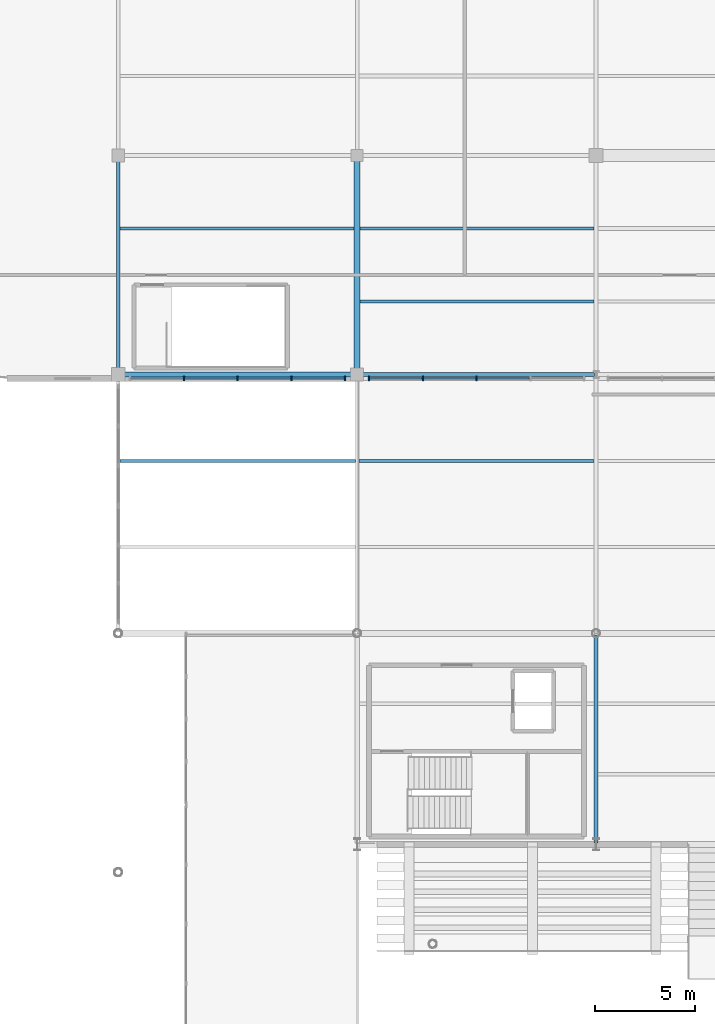
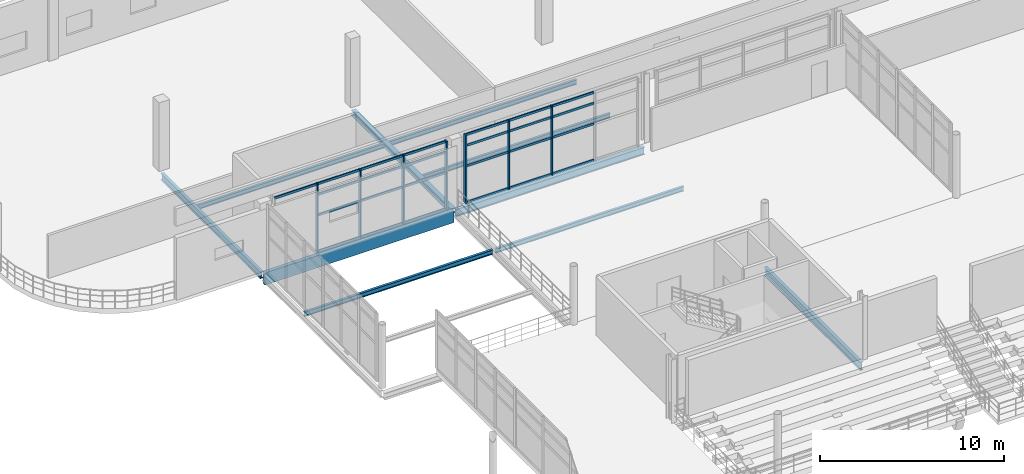
# One storey, part 37 of 89: 32 members, 10 beams, 2 elements without a shape of their own.
"""IFC4 building model written with IfcOpenShell, lengths in metres."""

from ifc_helpers import new_model, si_unit, direction, frame, origin, origin_2d, place, context, subcontext, project, spatial, rectangle, i_section, extrude, material, material_profile, profile_set, type_object, element, aggregate, save


model = new_model("IFC4")

# Units and contexts
model_context = context("Model", 3, precision=1e-05, world=origin(), true_north=direction((0.0, 1.0)))
body_context = subcontext(model_context, "Body", "Model", "MODEL_VIEW")
ifc_project = project(units=[si_unit("LENGTHUNIT", "METRE"), si_unit("AREAUNIT", "SQUARE_METRE"), si_unit("VOLUMEUNIT", "CUBIC_METRE"), si_unit("PLANEANGLEUNIT", "RADIAN"), si_unit("MASSUNIT", "GRAM", prefix="KILO"), si_unit("THERMODYNAMICTEMPERATUREUNIT", "KELVIN"), si_unit("POWERUNIT", "WATT")], contexts=[model_context])

# Site, building, storey
site_placement = place(None, origin())
site = spatial("IfcSite", under=ifc_project, at=site_placement, CompositionType="ELEMENT")
building_placement = place(site_placement, origin())
building = spatial("IfcBuilding", under=site, at=building_placement, Name="Solmara Park Aquatics Centre", CompositionType="ELEMENT")
storey_placement = place(building_placement, frame((0.0, 0.0, 5.39990234375)))
storey = spatial("IfcBuildingStorey", under=building, at=storey_placement, Name="L01", CompositionType="ELEMENT", Elevation=5.39990234375)

# Curtain wall, members
ifc_material_1 = material(Name="Anodised Aluminium Curtain Wall Framing", Category="aluminium")
curtain_wall_type = type_object("IfcCurtainWallType", Name="ARC-CW-SYS05", PredefinedType="USERDEFINED", material=ifc_material_1)
curtain_wall_1_placement = place(storey_placement, origin())
curtain_wall_1 = element("IfcCurtainWall", 1, at=curtain_wall_1_placement, inside=storey, type_object=curtain_wall_type, Name="Curtain Wall CW-104", ObjectType="CURTAIN WALL", PredefinedType="USERDEFINED")
ifc_material_2 = material(Name="Anodised Aluminium Alloy 6063-T6", Category="aluminium")
ifc_material_profile_1 = material_profile(ifc_material_2, rectangle(XDim=0.074951171875, YDim=0.219970703125, at=origin_2d()), Name="ALU MULLION 75x220")
ifc_profile_set_1 = profile_set([ifc_material_profile_1], Name="Anodised Aluminium Alloy 6063-T6")
member_type_1 = type_object("IfcMemberType", Name="ARC-CWM-75x220", PredefinedType="MULLION", material=ifc_profile_set_1)
member_1_placement = place(storey_placement, frame((15.89990234375, 85.39990234375, 0.0), z_axis=(0.0, 0.0, 1.0), x_axis=(1.0, 0.0, 0.0)))
member_1 = element("IfcMember", 2, at=member_1_placement, type_object=member_type_1, Name="CW-104 mullion 2", PredefinedType="MULLION", context=body_context, shape_type="SweptSolid", body=[
    extrude(rectangle(XDim=0.074951171875, YDim=0.219970703125, at=origin_2d()), origin(), (0.0, 0.0, 1.0), 4.56005859375),
])
member_2_placement = place(storey_placement, frame((18.60009765625, 85.39990234375, 0.0), z_axis=(0.0, 0.0, 1.0), x_axis=(1.0, 0.0, 0.0)))
member_2 = element("IfcMember", 3, at=member_2_placement, type_object=member_type_1, Name="CW-104 mullion 3", PredefinedType="MULLION", context=body_context, shape_type="SweptSolid", body=[
    extrude(rectangle(XDim=0.074951171875, YDim=0.219970703125, at=origin_2d()), origin(), (0.0, 0.0, 1.0), 4.56005859375),
])
member_3_placement = place(storey_placement, frame((21.300048828125, 85.39990234375, 0.0), z_axis=(0.0, 0.0, 1.0), x_axis=(1.0, 0.0, 0.0)))
member_3 = element("IfcMember", 4, at=member_3_placement, type_object=member_type_1, Name="CW-104 mullion 4", PredefinedType="MULLION", context=body_context, shape_type="SweptSolid", body=[
    extrude(rectangle(XDim=0.074951171875, YDim=0.219970703125, at=origin_2d()), origin(), (0.0, 0.0, 1.0), 4.56005859375),
])
member_4_placement = place(storey_placement, frame((24.0, 85.39990234375, 0.0), z_axis=(0.0, 0.0, 1.0), x_axis=(1.0, 0.0, 0.0)))
member_4 = element("IfcMember", 5, at=member_4_placement, type_object=member_type_1, Name="CW-104 mullion 5", PredefinedType="MULLION", context=body_context, shape_type="SweptSolid", body=[
    extrude(rectangle(XDim=0.074951171875, YDim=0.219970703125, at=origin_2d()), origin(), (0.0, 0.0, 1.0), 4.56005859375),
])

curtain_wall_2_placement = place(storey_placement, origin())
curtain_wall_2 = element("IfcCurtainWall", 6, at=curtain_wall_2_placement, inside=storey, type_object=curtain_wall_type, Name="Curtain Wall CW-105", ObjectType="CURTAIN WALL", PredefinedType="USERDEFINED")
member_5_placement = place(storey_placement, frame((25.199951171875, 85.39990234375, 0.0), z_axis=(0.0, 0.0, 1.0), x_axis=(1.0, 0.0, 0.0)))
member_5 = element("IfcMember", 7, at=member_5_placement, type_object=member_type_1, Name="CW-105 mullion 1", PredefinedType="MULLION", context=body_context, shape_type="SweptSolid", body=[
    extrude(rectangle(XDim=0.074951171875, YDim=0.219970703125, at=origin_2d()), origin(), (0.0, 0.0, 1.0), 4.56005859375),
])
member_6_placement = place(storey_placement, frame((27.89990234375, 85.39990234375, 0.0), z_axis=(0.0, 0.0, 1.0), x_axis=(1.0, 0.0, 0.0)))
member_6 = element("IfcMember", 8, at=member_6_placement, type_object=member_type_1, Name="CW-105 mullion 2", PredefinedType="MULLION", context=body_context, shape_type="SweptSolid", body=[
    extrude(rectangle(XDim=0.074951171875, YDim=0.219970703125, at=origin_2d()), origin(), (0.0, 0.0, 1.0), 4.56005859375),
])
member_7_placement = place(storey_placement, frame((30.60009765625, 85.39990234375, 0.0), z_axis=(0.0, 0.0, 1.0), x_axis=(1.0, 0.0, 0.0)))
member_7 = element("IfcMember", 9, at=member_7_placement, type_object=member_type_1, Name="CW-105 mullion 3", PredefinedType="MULLION", context=body_context, shape_type="SweptSolid", body=[
    extrude(rectangle(XDim=0.074951171875, YDim=0.219970703125, at=origin_2d()), origin(), (0.0, 0.0, 1.0), 4.56005859375),
])

# Member
ifc_material_profile_2 = material_profile(ifc_material_2, rectangle(XDim=0.074951171875, YDim=0.14990234375, at=origin_2d()), Name="ALU TRANSOM 75x150")
ifc_profile_set_2 = profile_set([ifc_material_profile_2], Name="Anodised Aluminium Alloy 6063-T6")
member_type_2 = type_object("IfcMemberType", Name="ARC-CWT-75x150", PredefinedType="USERDEFINED", material=ifc_profile_set_2)
member_8_placement = place(storey_placement, frame((13.219970703125, 85.39990234375, 4.52001953125), z_axis=(1.0, 0.0, 0.0), x_axis=(0.0, 1.0, 0.0)))
member_8 = element("IfcMember", 10, at=member_8_placement, type_object=member_type_2, Name="CW-104 transom 4", ObjectType="TRANSOM", PredefinedType="USERDEFINED", context=body_context, shape_type="SweptSolid", body=[
    extrude(rectangle(XDim=0.074951171875, YDim=0.14990234375, at=origin_2d()), origin(), (0.0, 0.0, 1.0), 2.6201171875),
])

member_9_placement = place(storey_placement, frame((15.919921875, 85.39990234375, 0.0400390625), z_axis=(1.0, 0.0, 0.0), x_axis=(0.0, 1.0, 0.0)))
member_9 = element("IfcMember", 11, at=member_9_placement, type_object=member_type_2, Name="CW-104 transom 5", ObjectType="TRANSOM", PredefinedType="USERDEFINED", context=body_context, shape_type="SweptSolid", body=[
    extrude(rectangle(XDim=0.074951171875, YDim=0.14990234375, at=origin_2d()), origin(), (0.0, 0.0, 1.0), 2.6201171875),
])

member_10_placement = place(storey_placement, frame((15.919921875, 85.39990234375, 2.4501953125), z_axis=(1.0, 0.0, 0.0), x_axis=(0.0, 1.0, 0.0)))
member_10 = element("IfcMember", 12, at=member_10_placement, type_object=member_type_2, Name="CW-104 transom 6", ObjectType="TRANSOM", PredefinedType="USERDEFINED", context=body_context, shape_type="SweptSolid", body=[
    extrude(rectangle(XDim=0.074951171875, YDim=0.14990234375, at=origin_2d()), origin(), (0.0, 0.0, 1.0), 2.6201171875),
])

member_11_placement = place(storey_placement, frame((15.919921875, 85.39990234375, 3.81005859375), z_axis=(1.0, 0.0, 0.0), x_axis=(0.0, 1.0, 0.0)))
member_11 = element("IfcMember", 13, at=member_11_placement, type_object=member_type_2, Name="CW-104 transom 7", ObjectType="TRANSOM", PredefinedType="USERDEFINED", context=body_context, shape_type="SweptSolid", body=[
    extrude(rectangle(XDim=0.074951171875, YDim=0.14990234375, at=origin_2d()), origin(), (0.0, 0.0, 1.0), 2.6201171875),
])

member_12_placement = place(storey_placement, frame((15.919921875, 85.39990234375, 4.52001953125), z_axis=(1.0, 0.0, 0.0), x_axis=(0.0, 1.0, 0.0)))
member_12 = element("IfcMember", 14, at=member_12_placement, type_object=member_type_2, Name="CW-104 transom 8", ObjectType="TRANSOM", PredefinedType="USERDEFINED", context=body_context, shape_type="SweptSolid", body=[
    extrude(rectangle(XDim=0.074951171875, YDim=0.14990234375, at=origin_2d()), origin(), (0.0, 0.0, 1.0), 2.6201171875),
])

member_13_placement = place(storey_placement, frame((18.6201171875, 85.39990234375, 0.0400390625), z_axis=(1.0, 0.0, 0.0), x_axis=(0.0, 1.0, 0.0)))
member_13 = element("IfcMember", 15, at=member_13_placement, type_object=member_type_2, Name="CW-104 transom 9", ObjectType="TRANSOM", PredefinedType="USERDEFINED", context=body_context, shape_type="SweptSolid", body=[
    extrude(rectangle(XDim=0.074951171875, YDim=0.14990234375, at=origin_2d()), origin(), (0.0, 0.0, 1.0), 2.619873046875),
])

member_14_placement = place(storey_placement, frame((18.6201171875, 85.39990234375, 2.4501953125), z_axis=(1.0, 0.0, 0.0), x_axis=(0.0, 1.0, 0.0)))
member_14 = element("IfcMember", 16, at=member_14_placement, type_object=member_type_2, Name="CW-104 transom 10", ObjectType="TRANSOM", PredefinedType="USERDEFINED", context=body_context, shape_type="SweptSolid", body=[
    extrude(rectangle(XDim=0.074951171875, YDim=0.14990234375, at=origin_2d()), origin(), (0.0, 0.0, 1.0), 2.619873046875),
])

member_15_placement = place(storey_placement, frame((18.6201171875, 85.39990234375, 3.81005859375), z_axis=(1.0, 0.0, 0.0), x_axis=(0.0, 1.0, 0.0)))
member_15 = element("IfcMember", 17, at=member_15_placement, type_object=member_type_2, Name="CW-104 transom 11", ObjectType="TRANSOM", PredefinedType="USERDEFINED", context=body_context, shape_type="SweptSolid", body=[
    extrude(rectangle(XDim=0.074951171875, YDim=0.14990234375, at=origin_2d()), origin(), (0.0, 0.0, 1.0), 2.619873046875),
])

member_16_placement = place(storey_placement, frame((18.6201171875, 85.39990234375, 4.52001953125), z_axis=(1.0, 0.0, 0.0), x_axis=(0.0, 1.0, 0.0)))
member_16 = element("IfcMember", 18, at=member_16_placement, type_object=member_type_2, Name="CW-104 transom 12", ObjectType="TRANSOM", PredefinedType="USERDEFINED", context=body_context, shape_type="SweptSolid", body=[
    extrude(rectangle(XDim=0.074951171875, YDim=0.14990234375, at=origin_2d()), origin(), (0.0, 0.0, 1.0), 2.619873046875),
])

member_17_placement = place(storey_placement, frame((21.320068359375, 85.39990234375, 0.0400390625), z_axis=(1.0, 0.0, 0.0), x_axis=(0.0, 1.0, 0.0)))
member_17 = element("IfcMember", 19, at=member_17_placement, type_object=member_type_2, Name="CW-104 transom 13", ObjectType="TRANSOM", PredefinedType="USERDEFINED", context=body_context, shape_type="SweptSolid", body=[
    extrude(rectangle(XDim=0.074951171875, YDim=0.14990234375, at=origin_2d()), origin(), (0.0, 0.0, 1.0), 2.619873046875),
])

member_18_placement = place(storey_placement, frame((21.320068359375, 85.39990234375, 2.4501953125), z_axis=(1.0, 0.0, 0.0), x_axis=(0.0, 1.0, 0.0)))
member_18 = element("IfcMember", 20, at=member_18_placement, type_object=member_type_2, Name="CW-104 transom 14", ObjectType="TRANSOM", PredefinedType="USERDEFINED", context=body_context, shape_type="SweptSolid", body=[
    extrude(rectangle(XDim=0.074951171875, YDim=0.14990234375, at=origin_2d()), origin(), (0.0, 0.0, 1.0), 2.619873046875),
])

member_19_placement = place(storey_placement, frame((21.320068359375, 85.39990234375, 3.81005859375), z_axis=(1.0, 0.0, 0.0), x_axis=(0.0, 1.0, 0.0)))
member_19 = element("IfcMember", 21, at=member_19_placement, type_object=member_type_2, Name="CW-104 transom 15", ObjectType="TRANSOM", PredefinedType="USERDEFINED", context=body_context, shape_type="SweptSolid", body=[
    extrude(rectangle(XDim=0.074951171875, YDim=0.14990234375, at=origin_2d()), origin(), (0.0, 0.0, 1.0), 2.619873046875),
])

member_20_placement = place(storey_placement, frame((21.320068359375, 85.39990234375, 4.52001953125), z_axis=(1.0, 0.0, 0.0), x_axis=(0.0, 1.0, 0.0)))
member_20 = element("IfcMember", 22, at=member_20_placement, type_object=member_type_2, Name="CW-104 transom 16", ObjectType="TRANSOM", PredefinedType="USERDEFINED", context=body_context, shape_type="SweptSolid", body=[
    extrude(rectangle(XDim=0.074951171875, YDim=0.14990234375, at=origin_2d()), origin(), (0.0, 0.0, 1.0), 2.619873046875),
])

aggregate(curtain_wall_1, [member_1, member_2, member_3, member_4, member_8, member_9, member_10, member_11, member_12, member_13, member_14, member_15, member_16, member_17, member_18, member_19, member_20])

member_21_placement = place(storey_placement, frame((25.219970703125, 85.39990234375, 0.0400390625), z_axis=(1.0, 0.0, 0.0), x_axis=(0.0, 1.0, 0.0)))
member_21 = element("IfcMember", 23, at=member_21_placement, type_object=member_type_2, Name="CW-105 transom 1", ObjectType="TRANSOM", PredefinedType="USERDEFINED", context=body_context, shape_type="SweptSolid", body=[
    extrude(rectangle(XDim=0.074951171875, YDim=0.14990234375, at=origin_2d()), origin(), (0.0, 0.0, 1.0), 2.6201171875),
])

member_22_placement = place(storey_placement, frame((25.219970703125, 85.39990234375, 2.4501953125), z_axis=(1.0, 0.0, 0.0), x_axis=(0.0, 1.0, 0.0)))
member_22 = element("IfcMember", 24, at=member_22_placement, type_object=member_type_2, Name="CW-105 transom 2", ObjectType="TRANSOM", PredefinedType="USERDEFINED", context=body_context, shape_type="SweptSolid", body=[
    extrude(rectangle(XDim=0.074951171875, YDim=0.14990234375, at=origin_2d()), origin(), (0.0, 0.0, 1.0), 2.6201171875),
])

member_23_placement = place(storey_placement, frame((25.219970703125, 85.39990234375, 3.81005859375), z_axis=(1.0, 0.0, 0.0), x_axis=(0.0, 1.0, 0.0)))
member_23 = element("IfcMember", 25, at=member_23_placement, type_object=member_type_2, Name="CW-105 transom 3", ObjectType="TRANSOM", PredefinedType="USERDEFINED", context=body_context, shape_type="SweptSolid", body=[
    extrude(rectangle(XDim=0.074951171875, YDim=0.14990234375, at=origin_2d()), origin(), (0.0, 0.0, 1.0), 2.6201171875),
])

member_24_placement = place(storey_placement, frame((25.219970703125, 85.39990234375, 4.52001953125), z_axis=(1.0, 0.0, 0.0), x_axis=(0.0, 1.0, 0.0)))
member_24 = element("IfcMember", 26, at=member_24_placement, type_object=member_type_2, Name="CW-105 transom 4", ObjectType="TRANSOM", PredefinedType="USERDEFINED", context=body_context, shape_type="SweptSolid", body=[
    extrude(rectangle(XDim=0.074951171875, YDim=0.14990234375, at=origin_2d()), origin(), (0.0, 0.0, 1.0), 2.6201171875),
])

member_25_placement = place(storey_placement, frame((27.919921875, 85.39990234375, 0.0400390625), z_axis=(1.0, 0.0, 0.0), x_axis=(0.0, 1.0, 0.0)))
member_25 = element("IfcMember", 27, at=member_25_placement, type_object=member_type_2, Name="CW-105 transom 5", ObjectType="TRANSOM", PredefinedType="USERDEFINED", context=body_context, shape_type="SweptSolid", body=[
    extrude(rectangle(XDim=0.074951171875, YDim=0.14990234375, at=origin_2d()), origin(), (0.0, 0.0, 1.0), 2.6201171875),
])

member_26_placement = place(storey_placement, frame((27.919921875, 85.39990234375, 2.4501953125), z_axis=(1.0, 0.0, 0.0), x_axis=(0.0, 1.0, 0.0)))
member_26 = element("IfcMember", 28, at=member_26_placement, type_object=member_type_2, Name="CW-105 transom 6", ObjectType="TRANSOM", PredefinedType="USERDEFINED", context=body_context, shape_type="SweptSolid", body=[
    extrude(rectangle(XDim=0.074951171875, YDim=0.14990234375, at=origin_2d()), origin(), (0.0, 0.0, 1.0), 2.6201171875),
])

member_27_placement = place(storey_placement, frame((27.919921875, 85.39990234375, 3.81005859375), z_axis=(1.0, 0.0, 0.0), x_axis=(0.0, 1.0, 0.0)))
member_27 = element("IfcMember", 29, at=member_27_placement, type_object=member_type_2, Name="CW-105 transom 7", ObjectType="TRANSOM", PredefinedType="USERDEFINED", context=body_context, shape_type="SweptSolid", body=[
    extrude(rectangle(XDim=0.074951171875, YDim=0.14990234375, at=origin_2d()), origin(), (0.0, 0.0, 1.0), 2.6201171875),
])

member_28_placement = place(storey_placement, frame((27.919921875, 85.39990234375, 4.52001953125), z_axis=(1.0, 0.0, 0.0), x_axis=(0.0, 1.0, 0.0)))
member_28 = element("IfcMember", 30, at=member_28_placement, type_object=member_type_2, Name="CW-105 transom 8", ObjectType="TRANSOM", PredefinedType="USERDEFINED", context=body_context, shape_type="SweptSolid", body=[
    extrude(rectangle(XDim=0.074951171875, YDim=0.14990234375, at=origin_2d()), origin(), (0.0, 0.0, 1.0), 2.6201171875),
])

member_29_placement = place(storey_placement, frame((30.6201171875, 85.39990234375, 0.0400390625), z_axis=(1.0, 0.0, 0.0), x_axis=(0.0, 1.0, 0.0)))
member_29 = element("IfcMember", 31, at=member_29_placement, type_object=member_type_2, Name="CW-105 transom 9", ObjectType="TRANSOM", PredefinedType="USERDEFINED", context=body_context, shape_type="SweptSolid", body=[
    extrude(rectangle(XDim=0.074951171875, YDim=0.14990234375, at=origin_2d()), origin(), (0.0, 0.0, 1.0), 2.619873046875),
])

member_30_placement = place(storey_placement, frame((30.6201171875, 85.39990234375, 2.4501953125), z_axis=(1.0, 0.0, 0.0), x_axis=(0.0, 1.0, 0.0)))
member_30 = element("IfcMember", 32, at=member_30_placement, type_object=member_type_2, Name="CW-105 transom 10", ObjectType="TRANSOM", PredefinedType="USERDEFINED", context=body_context, shape_type="SweptSolid", body=[
    extrude(rectangle(XDim=0.074951171875, YDim=0.14990234375, at=origin_2d()), origin(), (0.0, 0.0, 1.0), 2.619873046875),
])

member_31_placement = place(storey_placement, frame((30.6201171875, 85.39990234375, 3.81005859375), z_axis=(1.0, 0.0, 0.0), x_axis=(0.0, 1.0, 0.0)))
member_31 = element("IfcMember", 33, at=member_31_placement, type_object=member_type_2, Name="CW-105 transom 11", ObjectType="TRANSOM", PredefinedType="USERDEFINED", context=body_context, shape_type="SweptSolid", body=[
    extrude(rectangle(XDim=0.074951171875, YDim=0.14990234375, at=origin_2d()), origin(), (0.0, 0.0, 1.0), 2.619873046875),
])

member_32_placement = place(storey_placement, frame((30.6201171875, 85.39990234375, 4.52001953125), z_axis=(1.0, 0.0, 0.0), x_axis=(0.0, 1.0, 0.0)))
member_32 = element("IfcMember", 34, at=member_32_placement, type_object=member_type_2, Name="CW-105 transom 12", ObjectType="TRANSOM", PredefinedType="USERDEFINED", context=body_context, shape_type="SweptSolid", body=[
    extrude(rectangle(XDim=0.074951171875, YDim=0.14990234375, at=origin_2d()), origin(), (0.0, 0.0, 1.0), 2.619873046875),
])

aggregate(curtain_wall_2, [member_5, member_6, member_7, member_21, member_22, member_23, member_24, member_25, member_26, member_27, member_28, member_29, member_30, member_31, member_32])

# Beams
ifc_material_3 = material(Name="Glulam Timber GL28h", Category="wood")
ifc_material_profile_3 = material_profile(ifc_material_3, rectangle(XDim=0.239990234375, YDim=0.800048828125, at=origin_2d()), Name="GL28h 240x800")
ifc_profile_set_3 = profile_set([ifc_material_profile_3], Name="Glulam Timber GL28h")
beam_type_1 = type_object("IfcBeamType", Name="STR-BM-GL240x800", PredefinedType="BEAM", material=ifc_profile_set_3)
beam_1_placement = place(storey_placement, frame((12.679931640625, 85.60009765625, -0.719970703125), z_axis=(1.0, 0.0, 0.0), x_axis=(0.0, 1.0, 0.0)))
element("IfcBeam", 35, at=beam_1_placement, inside=storey, type_object=beam_type_1, Name="Girder BM-L01-0264", PredefinedType="BEAM", context=body_context, shape_type="SweptSolid", body=[
    extrude(rectangle(XDim=0.239990234375, YDim=0.800048828125, at=origin_2d()), origin(), (0.0, 0.0, 1.0), 11.840087890625),
])
ifc_material_4 = material(Name="Structural Steel S355", Category="steel")
ifc_material_profile_4 = material_profile(ifc_material_4, i_section(OverallWidth=0.300048828125, OverallDepth=0.340087890625, WebThickness=0.011962890625, FlangeThickness=0.021484375, FilletRadius=0.027099609375, at=origin_2d()), Name="HEB 340")
ifc_profile_set_4 = profile_set([ifc_material_profile_4], Name="Structural Steel S355")
beam_type_2 = type_object("IfcBeamType", Name="STR-BM-HEB340", PredefinedType="BEAM", material=ifc_profile_set_4)
beam_2_placement = place(storey_placement, frame((24.60009765625, 85.679931640625, -0.489990234375), z_axis=(0.0, 1.0, 0.0), x_axis=(-1.0, 0.0, 0.0)))
element("IfcBeam", 36, at=beam_2_placement, inside=storey, type_object=beam_type_2, Name="Girder BM-L01-0280", PredefinedType="BEAM", context=body_context, shape_type="SweptSolid", body=[
    extrude(i_section(OverallWidth=0.300048828125, OverallDepth=0.340087890625, WebThickness=0.011962890625, FlangeThickness=0.021484375, FilletRadius=0.027099609375, at=origin_2d()), origin(), (0.0, 0.0, 1.0), 10.840087890625),
])
ifc_material_profile_5 = material_profile(ifc_material_4, i_section(OverallWidth=0.18994140625, OverallDepth=0.449951171875, WebThickness=0.009521484375, FlangeThickness=0.0146484375, FilletRadius=0.02099609375, at=origin_2d()), Name="IPE 450")
ifc_profile_set_5 = profile_set([ifc_material_profile_5], Name="Structural Steel S355")
beam_type_3 = type_object("IfcBeamType", Name="STR-BM-IPE450", PredefinedType="BEAM", material=ifc_profile_set_5)
beam_3_placement = place(storey_placement, frame((12.60009765625, 85.679931640625, -0.544921875), z_axis=(0.0, 1.0, 0.0), x_axis=(-1.0, 0.0, 0.0)))
element("IfcBeam", 37, at=beam_3_placement, inside=storey, type_object=beam_type_3, Name="Girder BM-L01-0277", PredefinedType="BEAM", context=body_context, shape_type="SweptSolid", body=[
    extrude(i_section(OverallWidth=0.18994140625, OverallDepth=0.449951171875, WebThickness=0.009521484375, FlangeThickness=0.0146484375, FilletRadius=0.02099609375, at=origin_2d()), origin(), (0.0, 0.0, 1.0), 10.840087890625),
])
ifc_material_profile_6 = material_profile(ifc_material_4, i_section(OverallWidth=0.199951171875, OverallDepth=0.5, WebThickness=0.01025390625, FlangeThickness=0.01611328125, FilletRadius=0.02099609375, at=origin_2d()), Name="IPE 500")
ifc_profile_set_6 = profile_set([ifc_material_profile_6], Name="Structural Steel S355")
beam_type_4 = type_object("IfcBeamType", Name="STR-BM-IPE500", PredefinedType="BEAM", material=ifc_profile_set_6)
beam_4_placement = place(storey_placement, frame((24.679931640625, 85.60009765625, -0.56982421875), z_axis=(1.0, 0.0, 0.0), x_axis=(0.0, 1.0, 0.0)))
element("IfcBeam", 38, at=beam_4_placement, inside=storey, type_object=beam_type_4, Name="Girder BM-L01-0265", PredefinedType="BEAM", context=body_context, shape_type="SweptSolid", body=[
    extrude(i_section(OverallWidth=0.199951171875, OverallDepth=0.5, WebThickness=0.01025390625, FlangeThickness=0.01611328125, FilletRadius=0.02099609375, at=origin_2d()), origin(), (0.0, 0.0, 1.0), 11.840087890625),
])
ifc_material_profile_7 = material_profile(ifc_material_4, i_section(OverallWidth=0.2099609375, OverallDepth=0.550048828125, WebThickness=0.010986328125, FlangeThickness=0.01708984375, FilletRadius=0.02392578125, at=origin_2d()), Name="IPE 550")
ifc_profile_set_7 = profile_set([ifc_material_profile_7], Name="Structural Steel S355")
beam_type_5 = type_object("IfcBeamType", Name="STR-BM-IPE550", PredefinedType="BEAM", material=ifc_profile_set_7)
beam_5_placement = place(storey_placement, frame((36.60009765625, 62.080078125, -0.6748046875), z_axis=(0.0, 1.0, 0.0), x_axis=(-1.0, 0.0, 0.0)))
element("IfcBeam", 39, at=beam_5_placement, inside=storey, type_object=beam_type_5, Name="Girder BM-L01-0192", PredefinedType="BEAM", context=body_context, shape_type="SweptSolid", body=[
    extrude(i_section(OverallWidth=0.2099609375, OverallDepth=0.550048828125, WebThickness=0.010986328125, FlangeThickness=0.01708984375, FilletRadius=0.02392578125, at=origin_2d()), origin(), (0.0, 0.0, 1.0), 10.43994140625),
])
ifc_material_profile_8 = material_profile(ifc_material_4, i_section(OverallWidth=0.14990234375, OverallDepth=0.300048828125, WebThickness=0.007080078125, FlangeThickness=0.0107421875, FilletRadius=0.014892578125, at=origin_2d()), Name="IPE 300")
ifc_profile_set_8 = profile_set([ifc_material_profile_8], Name="Structural Steel S355")
beam_type_6 = type_object("IfcBeamType", Name="STR-JST-IPE300", PredefinedType="JOIST", material=ifc_profile_set_8)
beam_6_placement = place(storey_placement, frame((12.695068359375, 81.2666015625, -0.469970703125), z_axis=(1.0, 0.0, 0.0), x_axis=(0.0, 1.0, 0.0)))
element("IfcBeam", 40, at=beam_6_placement, inside=storey, type_object=beam_type_6, Name="Floor Joist JST-L01-0161", PredefinedType="JOIST", context=body_context, shape_type="SweptSolid", body=[
    extrude(i_section(OverallWidth=0.14990234375, OverallDepth=0.300048828125, WebThickness=0.007080078125, FlangeThickness=0.0107421875, FilletRadius=0.014892578125, at=origin_2d()), origin(), (0.0, 0.0, 1.0), 11.809814453125),
])
beam_7_placement = place(storey_placement, frame((12.695068359375, 92.933349609375, -0.469970703125), z_axis=(1.0, 0.0, 0.0), x_axis=(0.0, 1.0, 0.0)))
element("IfcBeam", 41, at=beam_7_placement, inside=storey, type_object=beam_type_6, Name="Floor Joist JST-L01-0162", PredefinedType="JOIST", context=body_context, shape_type="SweptSolid", body=[
    extrude(i_section(OverallWidth=0.14990234375, OverallDepth=0.300048828125, WebThickness=0.007080078125, FlangeThickness=0.0107421875, FilletRadius=0.014892578125, at=origin_2d()), origin(), (0.0, 0.0, 1.0), 11.7548828125),
])
beam_8_placement = place(storey_placement, frame((24.695068359375, 81.2666015625, -0.469970703125), z_axis=(1.0, 0.0, 0.0), x_axis=(0.0, 1.0, 0.0)))
element("IfcBeam", 42, at=beam_8_placement, inside=storey, type_object=beam_type_6, Name="Floor Joist JST-L01-0166", PredefinedType="JOIST", context=body_context, shape_type="SweptSolid", body=[
    extrude(i_section(OverallWidth=0.14990234375, OverallDepth=0.300048828125, WebThickness=0.007080078125, FlangeThickness=0.0107421875, FilletRadius=0.014892578125, at=origin_2d()), origin(), (0.0, 0.0, 1.0), 11.809814453125),
])
for number, where, z_axis, x_axis, name in (
    (43, (24.75, 89.2666015625, -0.469970703125), (1.0, 0.0, 0.0), (0.0, 1.0, 0.0), "Floor Joist JST-L01-0167"),
    (44, (24.75, 92.933349609375, -0.469970703125), (1.0, 0.0, 0.0), (0.0, 1.0, 0.0), "Floor Joist JST-L01-0168"),
):
    element("IfcBeam", number, at=place(storey_placement, frame(where, z_axis=z_axis, x_axis=x_axis)), inside=storey, type_object=beam_type_6, Name=name, PredefinedType="JOIST", context=body_context, shape_type="SweptSolid", body=[
        extrude(i_section(OverallWidth=0.14990234375, OverallDepth=0.300048828125, WebThickness=0.007080078125, FlangeThickness=0.0107421875, FilletRadius=0.014892578125, at=origin_2d()), origin(), (0.0, 0.0, 1.0), 11.7548828125),
    ])

save(model, "model.ifc")
